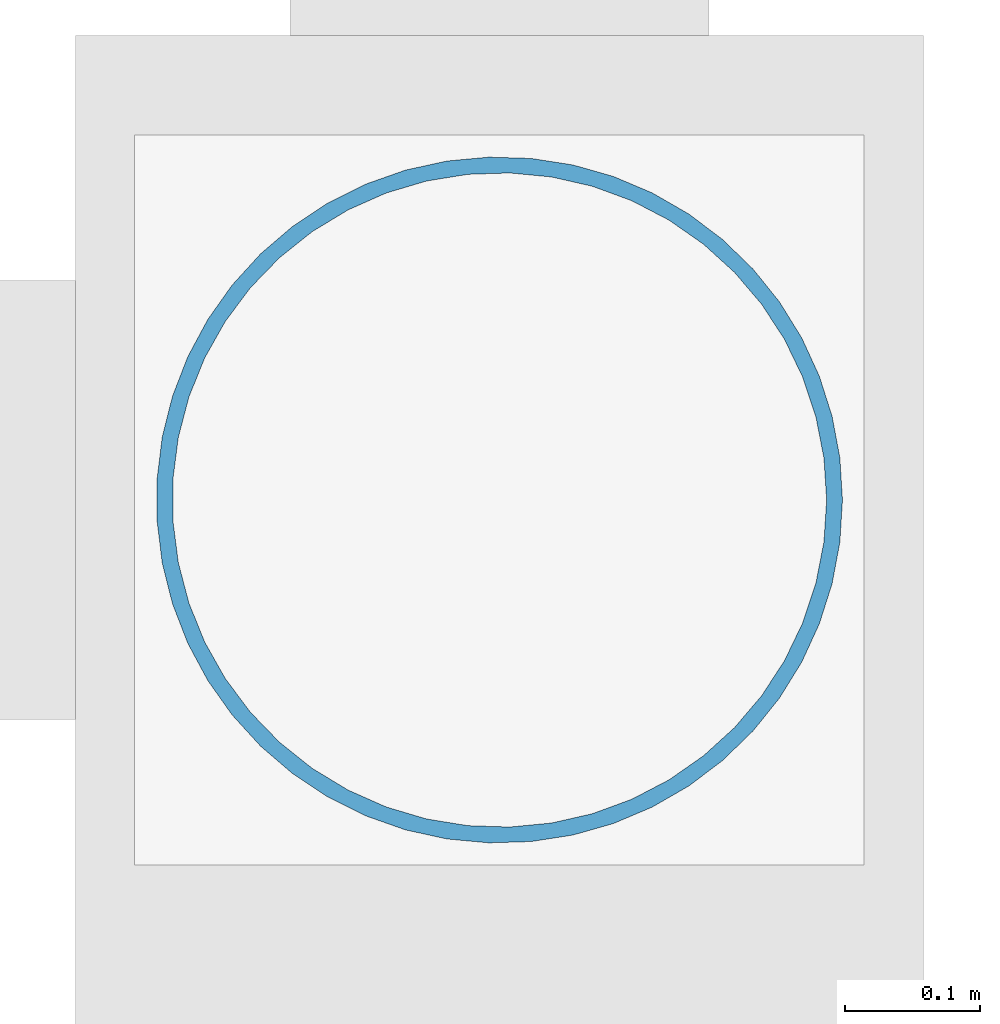
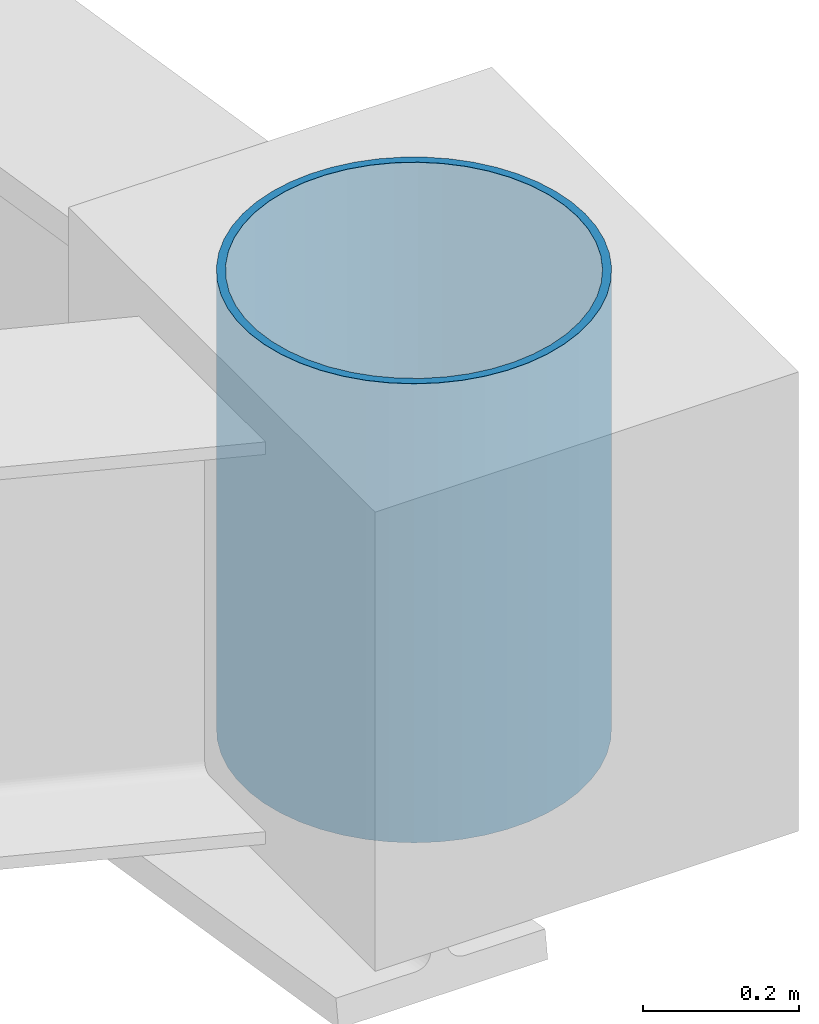
# One storey, part 8 of 43: 1 column.
"""IFC4 building model written with IfcOpenShell, lengths in metres."""

from ifc_helpers import new_model, si_unit, direction, frame, origin, origin_2d, place, context, subcontext, project, spatial, hollow_circle, extrude, material, material_profile, profile_set, type_object, element, save


model = new_model("IFC4")

# Units and contexts
model_context = context("Model", 3, precision=1e-05, world=origin(), true_north=direction((0.0, 1.0)))
body_context = subcontext(model_context, "Body", "Model", "MODEL_VIEW")
ifc_project = project(units=[si_unit("LENGTHUNIT", "METRE"), si_unit("AREAUNIT", "SQUARE_METRE"), si_unit("VOLUMEUNIT", "CUBIC_METRE"), si_unit("PLANEANGLEUNIT", "RADIAN"), si_unit("MASSUNIT", "GRAM", prefix="KILO")], contexts=[model_context])

# Site, building, storey
site_placement = place(None, origin())
site = spatial("IfcSite", under=ifc_project, at=site_placement, CompositionType="ELEMENT")
building_placement = place(site_placement, origin())
building = spatial("IfcBuilding", under=site, at=building_placement, Name="Caurita Quay Ferry Terminal", CompositionType="ELEMENT")
storey_placement = place(building_placement, frame((0.0, 0.0, 14.10009765625)))
storey = spatial("IfcBuildingStorey", under=building, at=storey_placement, Name="L03", CompositionType="ELEMENT", Elevation=14.10009765625)

# Column
ifc_material = material(Name="Hollow structural steel ASTM A500 Gr. C", Category="steel")
ifc_material_profile = material_profile(ifc_material, hollow_circle(Radius=0.25390625, WallThickness=0.01171875, at=origin_2d()), Name="HSS20.000X0.500")
ifc_profile_set = profile_set([ifc_material_profile], Name="Hollow structural steel ASTM A500 Gr. C")
column_type = type_object("IfcColumnType", Name="COL-MST-01", PredefinedType="COLUMN", material=ifc_profile_set)
column_placement = place(storey_placement, frame((131.800048828125, 34.60009765625, 0.0), z_axis=(0.0, 0.0, 1.0), x_axis=(1.0, 0.0, 0.0)))
element("IfcColumn", 1, at=column_placement, inside=storey, type_object=column_type, Name="L03 Column V2-MST-14-S", PredefinedType="COLUMN", context=body_context, shape_type="SweptSolid", body=[
    extrude(hollow_circle(Radius=0.25390625, WallThickness=0.01171875, at=origin_2d()), origin(), (0.0, 0.0, 1.0), 0.719970703125),
])

save(model, "model.ifc")
